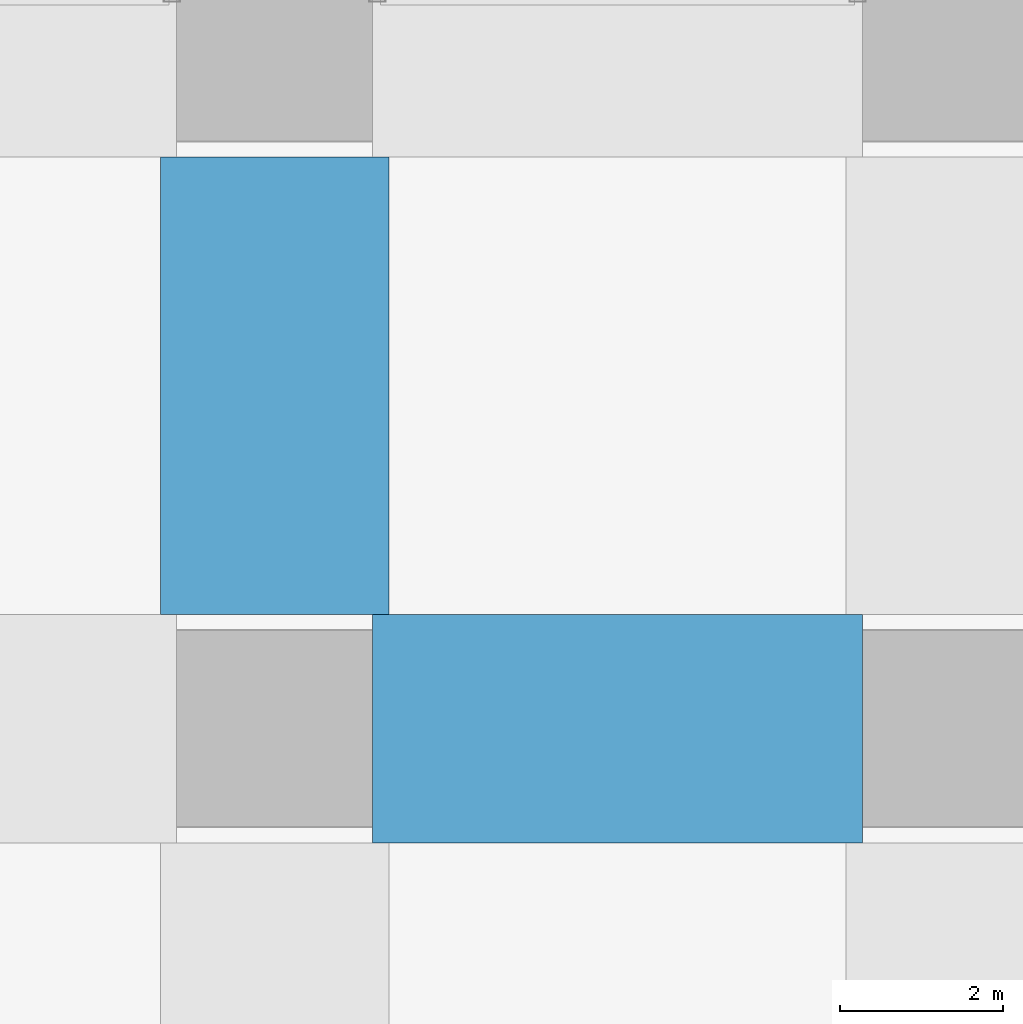
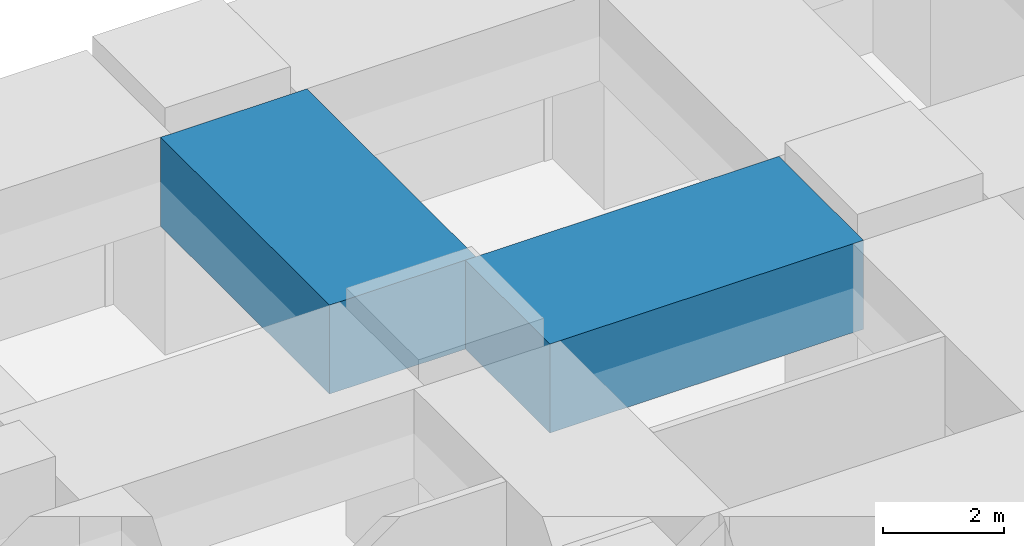
# One storey, part 22 of 52: 2 beams.
"""IFC4 building model written with IfcOpenShell, lengths in metres."""

from ifc_helpers import new_model, si_unit, direction, frame, origin, origin_2d, place, context, subcontext, project, spatial, rectangle, extrude, material, material_profile, profile_set, type_object, element, save


model = new_model("IFC4")

# Units and contexts
model_context = context("Model", 3, precision=1e-05, world=origin(), true_north=direction((0.0, 1.0)))
body_context = subcontext(model_context, "Body", "Model", "MODEL_VIEW")
ifc_project = project(units=[si_unit("LENGTHUNIT", "METRE"), si_unit("AREAUNIT", "SQUARE_METRE"), si_unit("VOLUMEUNIT", "CUBIC_METRE"), si_unit("PLANEANGLEUNIT", "RADIAN"), si_unit("MASSUNIT", "GRAM", prefix="KILO")], contexts=[model_context])

# Site, building, storey
site_placement = place(None, origin())
site = spatial("IfcSite", under=ifc_project, at=site_placement, CompositionType="ELEMENT")
building_placement = place(site_placement, origin())
building = spatial("IfcBuilding", under=site, at=building_placement, Name="Rekha Terrace Tower", CompositionType="ELEMENT")
storey_placement = place(building_placement, frame((0.0, 0.0, 20.39990234375)))
storey = spatial("IfcBuildingStorey", under=building, at=storey_placement, Name="L04", CompositionType="ELEMENT", Elevation=20.39990234375)

# Beams
ifc_material = material(Name="Concrete M70", Category="concrete")
ifc_material_profile = material_profile(ifc_material, rectangle(XDim=2.800048828125, YDim=1.800048828125, at=origin_2d()), Name="RC 2800x1800")
ifc_profile_set = profile_set([ifc_material_profile], Name="Concrete M70")
beam_type = type_object("IfcBeamType", Name="G2 2800x1800 podium roof band beam", PredefinedType="BEAM", material=ifc_profile_set)
beam_1_placement = place(storey_placement, frame((9.60009765625, 50.39990234375, 3.7001953125), z_axis=(1.0, 0.0, 0.0), x_axis=(0.0, 1.0, 0.0)))
element("IfcBeam", 1, at=beam_1_placement, inside=storey, type_object=beam_type, Name="Beam G2 2G-3G under L05", PredefinedType="BEAM", context=body_context, shape_type="SweptSolid", body=[
    extrude(rectangle(XDim=2.800048828125, YDim=1.800048828125, at=origin_2d()), origin(), (0.0, 0.0, 1.0), 6.0),
])
beam_2_placement = place(storey_placement, frame((8.39990234375, 51.800048828125, 3.7001953125), z_axis=(0.0, 1.0, 0.0), x_axis=(-1.0, 0.0, 0.0)))
element("IfcBeam", 2, at=beam_2_placement, inside=storey, type_object=beam_type, Name="Beam G2 2G-2H under L05", PredefinedType="BEAM", context=body_context, shape_type="SweptSolid", body=[
    extrude(rectangle(XDim=2.800048828125, YDim=1.800048828125, at=origin_2d()), origin(), (0.0, 0.0, 1.0), 5.599853515625),
])

save(model, "model.ifc")
